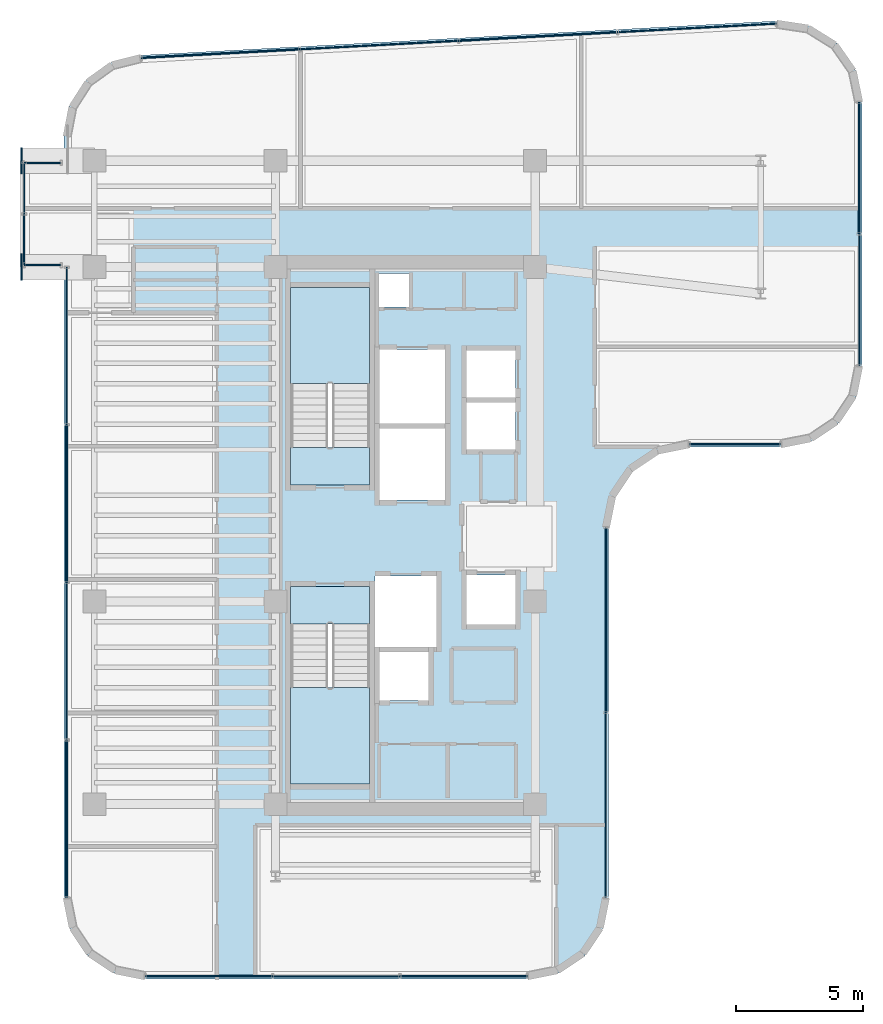
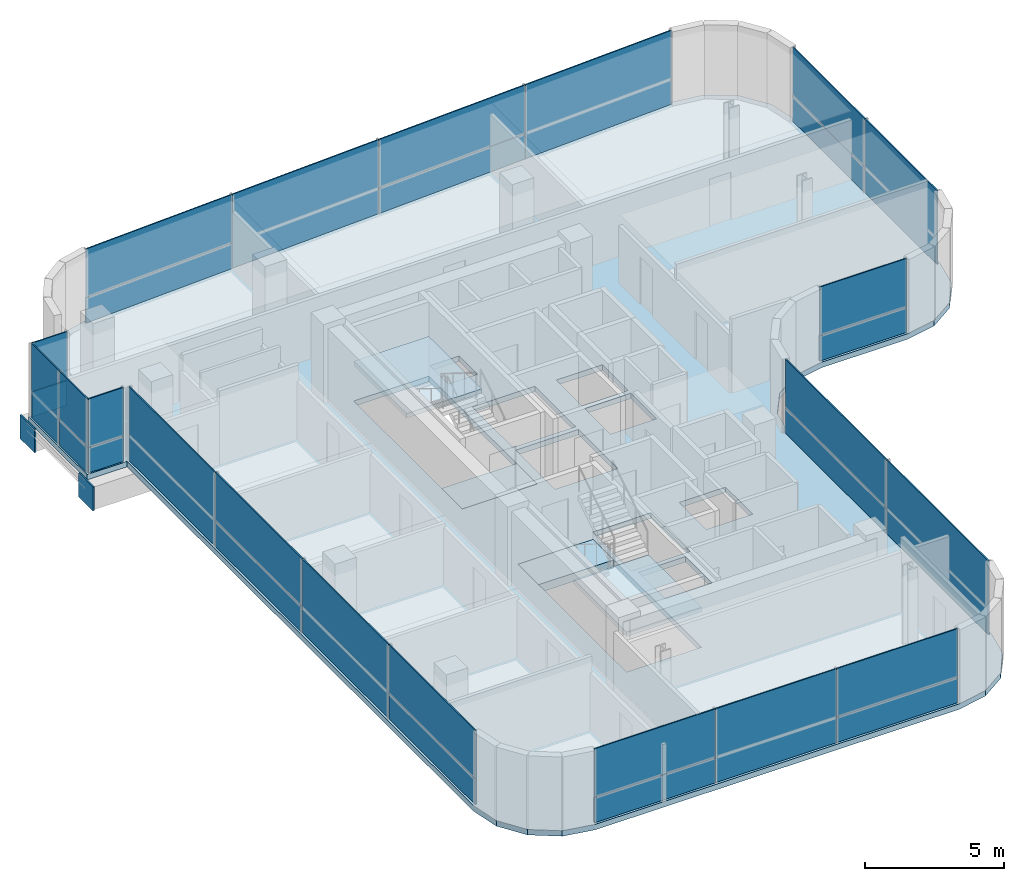
# One storey, part 16 of 21: 34 plates, 5 slabs, 11 elements without a shape of their own.
"""IFC4 building model written with IfcOpenShell, lengths in metres."""

from ifc_helpers import new_model, si_unit, direction, frame, origin, origin_2d, place, context, subcontext, project, spatial, polyline, rectangle, outline, extrude, source, transform, mapped, material, layer, layer_set, type_object, element, aggregate, save


model = new_model("IFC4")

# Units and contexts
model_context = context("Model", 3, precision=1e-05, world=origin(), true_north=direction((0.0, 1.0)))
body_context = subcontext(model_context, "Body", "Model", "MODEL_VIEW")
ifc_project = project(units=[si_unit("LENGTHUNIT", "METRE"), si_unit("AREAUNIT", "SQUARE_METRE"), si_unit("VOLUMEUNIT", "CUBIC_METRE"), si_unit("PLANEANGLEUNIT", "RADIAN"), si_unit("MASSUNIT", "GRAM", prefix="KILO")], contexts=[model_context])

# Site, building, storey
site_placement = place(None, origin())
site = spatial("IfcSite", under=ifc_project, at=site_placement, CompositionType="ELEMENT")
building_placement = place(site_placement, origin())
building = spatial("IfcBuilding", under=site, at=building_placement, Name="Valdorenza Pilgrim Sanctuary Tower", CompositionType="ELEMENT")
storey_placement = place(building_placement, frame((0.0, 0.0, 223.0)))
storey = spatial("IfcBuildingStorey", under=building, at=storey_placement, Name="L57", CompositionType="ELEMENT", Elevation=223.0)

# Slab
ifc_material_1 = material(Name="Concrete C40/50", Category="concrete")
ifc_layer_1 = layer(ifc_material_1, 0.239990234375, Name="Concrete C40/50")
ifc_layer_set_1 = layer_set([ifc_layer_1], Name="Concrete C40/50")
slab_type_1 = type_object("IfcSlabType", Name="SLAB-FLR-220", PredefinedType="FLOOR", material=ifc_layer_set_1)
slab_1_placement = place(storey_placement, frame((0.0, 0.0, -0.239990234375)))
element("IfcSlab", 1, at=slab_1_placement, inside=storey, type_object=slab_type_1, Name="L57 Structural Floor Slab 1", PredefinedType="FLOOR", context=body_context, shape_type="SweptSolid", body=[
    extrude(outline(polyline([(-30.772705078125, 16.95263671875), (-30.122802734375, 17.968994140625), (-29.14306640625, 18.672607421875), (-27.972412109375, 18.96337890625), (-2.872314453125, 20.318115234375), (-1.595947265625, 20.126220703125), (-0.4990234375, 19.445556640625), (0.239501953125, 18.386962890625), (0.5, 17.12255859375), (0.5, 6.699951171875), (0.25634765625, 5.475341796875), (-0.437255859375, 4.437255859375), (-1.475341796875, 3.74365234375), (-2.699951171875, 3.5), (-6.300048828125, 3.5), (-7.524658203125, 3.25634765625), (-8.562744140625, 2.562744140625), (-9.25634765625, 1.524658203125), (-9.5, 0.300048828125), (-9.5, -14.300048828125), (-9.74365234375, -15.524658203125), (-10.437255859375, -16.562744140625), (-11.475341796875, -17.25634765625), (-12.699951171875, -17.5), (-27.800048828125, -17.5), (-29.024658203125, -17.25634765625), (-30.062744140625, -16.562744140625), (-30.75634765625, -15.524658203125), (-31.0, -14.300048828125), (-31.0, 10.60009765625), (-32.64990234375, 10.60009765625), (-32.64990234375, 14.800048828125), (-31.0, 14.800048828125), (-31.0, 15.76806640625), (-30.772705078125, 16.95263671875)]), holes=[polyline([(-22.050048828125, -9.800048828125), (-18.93994140625, -9.800048828125), (-18.93994140625, -3.485107421875), (-18.93994140625, -2.0), (-22.050048828125, -2.0), (-22.050048828125, -3.485107421875), (-22.050048828125, -9.800048828125)]), polyline([(-16.60009765625, -6.5), (-16.60009765625, -4.60009765625), (-18.550048828125, -4.60009765625), (-18.550048828125, -6.5), (-16.60009765625, -6.5)]), polyline([(-22.050048828125, 2.0), (-18.93994140625, 2.0), (-18.93994140625, 3.485107421875), (-18.93994140625, 9.800048828125), (-22.050048828125, 9.800048828125), (-22.050048828125, 3.485107421875), (-22.050048828125, 2.0)]), polyline([(-17.360107421875, 9.030029296875), (-17.360107421875, 10.35009765625), (-18.570068359375, 10.35009765625), (-18.570068359375, 9.030029296875), (-17.360107421875, 9.030029296875)]), polyline([(-16.300048828125, -1.60009765625), (-18.719970703125, -1.60009765625), (-18.719970703125, -4.39990234375), (-16.300048828125, -4.39990234375), (-16.300048828125, -1.60009765625)]), polyline([(-13.179931640625, -3.5), (-13.179931640625, -1.550048828125), (-15.10009765625, -1.550048828125), (-15.10009765625, -3.5), (-13.179931640625, -3.5)]), polyline([(-15.949951171875, 1.39990234375), (-15.949951171875, 4.22509765625), (-18.550048828125, 4.22509765625), (-18.550048828125, 1.39990234375), (-15.949951171875, 1.39990234375)]), polyline([(-13.179931640625, 5.25), (-15.10009765625, 5.25), (-15.10009765625, 3.39990234375), (-13.179931640625, 3.39990234375), (-13.179931640625, 5.25)]), polyline([(-15.949951171875, 4.425048828125), (-15.949951171875, 7.35009765625), (-18.550048828125, 7.35009765625), (-18.550048828125, 4.425048828125), (-15.949951171875, 4.425048828125)]), polyline([(-13.179931640625, 5.449951171875), (-13.179931640625, 7.300048828125), (-15.10009765625, 7.300048828125), (-15.10009765625, 5.449951171875), (-13.179931640625, 5.449951171875)])]), origin(), (0.0, 0.0, 1.0), 0.239990234375),
])

# Stair, slab
stair_type = type_object("IfcStairType", Name="STR-DOG-CORE", PredefinedType="HALF_TURN_STAIR", material=ifc_material_1)
stair_1_placement = place(storey_placement, origin())
stair_1 = element("IfcStair", 2, at=stair_1_placement, inside=storey, type_object=stair_type, Name="L57 ST-A1", PredefinedType="HALF_TURN_STAIR")
ifc_layer_2 = layer(ifc_material_1, 0.199951171875, Name="Concrete C40/50")
ifc_layer_set_2 = layer_set([ifc_layer_2], Name="Concrete C40/50")
slab_type_2 = type_object("IfcSlabType", Name="SLAB-STL-200", PredefinedType="LANDING", material=ifc_layer_set_2)
slab_2_placement = place(storey_placement, frame((0.0, 0.0, 1.550048828125)))
slab_2 = element("IfcSlab", 3, at=slab_2_placement, type_object=slab_type_2, Name="ST-A1 landing 1", PredefinedType="LANDING", context=body_context, shape_type="SweptSolid", body=[
    extrude(outline(polyline([(-18.93994140625, 6.0), (-18.93994140625, 9.800048828125), (-22.050048828125, 9.800048828125), (-22.050048828125, 6.0), (-18.93994140625, 6.0)])), origin(), (0.0, 0.0, 1.0), 0.199951171875),
])
aggregate(stair_1, [slab_2])

stair_2_placement = place(storey_placement, origin())
stair_2 = element("IfcStair", 4, at=stair_2_placement, inside=storey, type_object=stair_type, Name="L57 ST-A2", PredefinedType="HALF_TURN_STAIR")
slab_3_placement = place(storey_placement, frame((0.0, 0.0, 1.550048828125)))
slab_3 = element("IfcSlab", 5, at=slab_3_placement, type_object=slab_type_2, Name="ST-A2 landing 1", PredefinedType="LANDING", context=body_context, shape_type="SweptSolid", body=[
    extrude(outline(polyline([(-22.050048828125, -6.0), (-22.050048828125, -9.800048828125), (-18.93994140625, -9.800048828125), (-18.93994140625, -6.0), (-22.050048828125, -6.0)])), origin(), (0.0, 0.0, 1.0), 0.199951171875),
])
aggregate(stair_2, [slab_3])

# Slabs
ifc_material_2 = material(Name="Concrete C50/60", Category="concrete")
ifc_layer_3 = layer(ifc_material_2, 0.39990234375, Name="Concrete C50/60")
ifc_layer_set_3 = layer_set([ifc_layer_3], Name="Concrete C50/60")
slab_type_3 = type_object("IfcSlabType", Name="SLAB-TRF-400", PredefinedType="FLOOR", material=ifc_layer_set_3)
slab_4_placement = place(storey_placement, frame((0.0, 0.0, -0.360107421875)))
element("IfcSlab", 6, at=slab_4_placement, inside=storey, type_object=slab_type_3, Name="L57 ST-A1 Structural Stair Landing Bearing Slab", PredefinedType="FLOOR", context=body_context, shape_type="SweptSolid", body=[
    extrude(outline(polyline([(-22.050048828125, 2.0), (-18.93994140625, 2.0), (-18.93994140625, 3.485107421875), (-22.050048828125, 3.485107421875), (-22.050048828125, 2.0)])), origin(), (0.0, 0.0, 1.0), 0.360107421875),
])
slab_5_placement = place(storey_placement, frame((0.0, 0.0, -0.360107421875)))
element("IfcSlab", 7, at=slab_5_placement, inside=storey, type_object=slab_type_3, Name="L57 ST-A2 Structural Stair Landing Bearing Slab", PredefinedType="FLOOR", context=body_context, shape_type="SweptSolid", body=[
    extrude(outline(polyline([(-22.050048828125, -3.485107421875), (-18.93994140625, -3.485107421875), (-18.93994140625, -2.0), (-22.050048828125, -2.0), (-22.050048828125, -3.485107421875)])), origin(), (0.0, 0.0, 1.0), 0.360107421875),
])

# Plates
ifc_material_3 = material(Name="Steel ASTM A572 Grade 42", Category="steel")
ifc_layer_4 = layer(ifc_material_3, 0.06005859375, Name="Steel ASTM A572 Grade 42")
ifc_layer_set_4 = layer_set([ifc_layer_4], Name="Steel ASTM A572 Grade 42")
plate_type_1 = type_object("IfcPlateType", Name="PLT-CAP-60", PredefinedType="SHEET", material=ifc_layer_set_4)
shared_shape_1 = source(origin(), body_context, "Body", "SweptSolid", [
    extrude(rectangle(XDim=0.06005859375, YDim=1.0400390625, at=origin_2d()), origin(), (0.0, 0.0, 1.0), 1.0400390625),
])
for number, where, z_axis, x_axis, name in (
    (8, (-32.679931640625, 14.800048828125, -1.260009765625), (0.0, 0.0, 1.0), (1.0, 0.0, 0.0), "L57 BOX-WA-L57 Cantilever Tip End Cap N"),
    (9, (-32.679931640625, 10.60009765625, -1.260009765625), (0.0, 0.0, 1.0), (1.0, 0.0, 0.0), "L57 BOX-WA-L57 Cantilever Tip End Cap S"),
):
    element("IfcPlate", number, at=place(storey_placement, frame(where, z_axis=z_axis, x_axis=x_axis)), inside=storey, type_object=plate_type_1, Name=name, PredefinedType="SHEET", context=body_context, shape_type="MappedRepresentation", body=[
        mapped(shared_shape_1, transform((0.0, 0.0, 0.0), x_axis=(1.0, 0.0, 0.0), y_axis=(0.0, 1.0, 0.0), z_axis=(0.0, 0.0, 1.0), scale=1.0)),
    ])

# Curtain wall, plate
ifc_material_4 = material(Name="Curtain-wall IGU glazing", Category="glass")
curtain_wall_type = type_object("IfcCurtainWallType", Name="CW-SYS-02", PredefinedType="NOTDEFINED", material=ifc_material_4)
curtain_wall_1_placement = place(storey_placement, origin())
curtain_wall_1 = element("IfcCurtainWall", 10, at=curtain_wall_1_placement, inside=storey, type_object=curtain_wall_type, Name="L57 Curtain Wall CW-L57-BOX-WA-L57-S", PredefinedType="NOTDEFINED")
ifc_material_5 = material(Name="Honed travertine limestone", Category="masonry")
ifc_layer_5 = layer(ifc_material_5, 0.050048828125, Name="Honed travertine limestone")
ifc_layer_set_5 = layer_set([ifc_layer_5], Name="Honed travertine limestone")
plate_type_2 = type_object("IfcPlateType", Name="CW-SPN-TRV", PredefinedType="USERDEFINED", material=ifc_layer_set_5)
shared_shape_2 = source(origin(), body_context, "Body", "SweptSolid", [
    extrude(rectangle(XDim=1.43994140625, YDim=0.06005859375, at=origin_2d()), origin(), (0.0, 0.0, 1.0), 1.10009765625),
])
plate_1_placement = place(storey_placement, frame((-31.840087890625, 10.679931640625, 0.010009765625), z_axis=(0.0, 0.0, 1.0), x_axis=(-1.0, 0.0, 0.0)))
plate_1 = element("IfcPlate", 11, at=plate_1_placement, type_object=plate_type_2, Name="CW-L57-BOX-WA-L57-S Travertine Spandrel 1", ObjectType="SPANDREL", PredefinedType="USERDEFINED", context=body_context, shape_type="MappedRepresentation", body=[
    mapped(shared_shape_2, transform((0.0, 0.0, 0.0), x_axis=(1.0, 0.0, 0.0), y_axis=(0.0, 1.0, 0.0), z_axis=(0.0, 0.0, 1.0), scale=1.0)),
])

curtain_wall_2_placement = place(storey_placement, origin())
curtain_wall_2 = element("IfcCurtainWall", 12, at=curtain_wall_2_placement, inside=storey, type_object=curtain_wall_type, Name="L57 Curtain Wall CW-L57-BOX-WA-L57-N", PredefinedType="NOTDEFINED")
plate_2_placement = place(storey_placement, frame((-31.840087890625, 14.719970703125, 0.010009765625), z_axis=(0.0, 0.0, 1.0), x_axis=(1.0, 0.0, 0.0)))
plate_2 = element("IfcPlate", 13, at=plate_2_placement, type_object=plate_type_2, Name="CW-L57-BOX-WA-L57-N Travertine Spandrel 1", ObjectType="SPANDREL", PredefinedType="USERDEFINED", context=body_context, shape_type="MappedRepresentation", body=[
    mapped(shared_shape_2, transform((0.0, 0.0, 0.0), x_axis=(1.0, 0.0, 0.0), y_axis=(0.0, 1.0, 0.0), z_axis=(0.0, 0.0, 1.0), scale=1.0)),
])

curtain_wall_3_placement = place(storey_placement, origin())
curtain_wall_3 = element("IfcCurtainWall", 14, at=curtain_wall_3_placement, inside=storey, type_object=curtain_wall_type, Name="L57 Curtain Wall CW-L57-BOX-WA-L57-F", PredefinedType="NOTDEFINED")
shared_shape_3 = source(origin(), body_context, "Body", "SweptSolid", [
    extrude(rectangle(XDim=2.0, YDim=0.06005859375, at=origin_2d()), origin(), (0.0, 0.0, 1.0), 1.10009765625),
])
plate_3_placement = place(storey_placement, frame((-32.570068359375, 11.68994140625, 0.010009765625), z_axis=(0.0, 0.0, 1.0), x_axis=(0.0, 1.0, 0.0)))
plate_3 = element("IfcPlate", 15, at=plate_3_placement, type_object=plate_type_2, Name="CW-L57-BOX-WA-L57-F Travertine Spandrel 1", ObjectType="SPANDREL", PredefinedType="USERDEFINED", context=body_context, shape_type="MappedRepresentation", body=[
    mapped(shared_shape_3, transform((0.0, 0.0, 0.0), x_axis=(1.0, 0.0, 0.0), y_axis=(0.0, 1.0, 0.0), z_axis=(0.0, 0.0, 1.0), scale=1.0)),
])

# Curtain wall, plates
curtain_wall_4_placement = place(storey_placement, origin())
curtain_wall_4 = element("IfcCurtainWall", 16, at=curtain_wall_4_placement, inside=storey, type_object=curtain_wall_type, Name="L57 Curtain Wall CW-L57-1-26", PredefinedType="NOTDEFINED")
shared_shape_4 = source(origin(), body_context, "Body", "SweptSolid", [
    extrude(rectangle(XDim=5.006103515625, YDim=0.06005859375, at=origin_2d()), origin(), (0.0, 0.0, 1.0), 1.10009765625),
])
plate_4_placement = place(storey_placement, frame((-15.223876953125, -17.389892578125, 0.010009765625), z_axis=(0.0, 0.0, 1.0), x_axis=(-1.0, 0.0, 0.0)))
plate_4 = element("IfcPlate", 17, at=plate_4_placement, type_object=plate_type_2, Name="CW-L57-1-26 Travertine Spandrel 1", ObjectType="SPANDREL", PredefinedType="USERDEFINED", context=body_context, shape_type="MappedRepresentation", body=[
    mapped(shared_shape_4, transform((0.0, 0.0, 0.0), x_axis=(1.0, 0.0, 0.0), y_axis=(0.0, 1.0, 0.0), z_axis=(0.0, 0.0, 1.0), scale=1.0)),
])
plate_5_placement = place(storey_placement, frame((-25.276123046875, -17.389892578125, 0.010009765625), z_axis=(0.0, 0.0, 1.0), x_axis=(-1.0, 0.0, 0.0)))
plate_5 = element("IfcPlate", 18, at=plate_5_placement, type_object=plate_type_2, Name="CW-L57-1-26 Travertine Spandrel 3", ObjectType="SPANDREL", PredefinedType="USERDEFINED", context=body_context, shape_type="MappedRepresentation", body=[
    mapped(shared_shape_4, transform((0.0, 0.0, 0.0), x_axis=(1.0, 0.0, 0.0), y_axis=(0.0, 1.0, 0.0), z_axis=(0.0, 0.0, 1.0), scale=1.0)),
])

curtain_wall_5_placement = place(storey_placement, origin())
curtain_wall_5 = element("IfcCurtainWall", 19, at=curtain_wall_5_placement, inside=storey, type_object=curtain_wall_type, Name="L57 Curtain Wall CW-L57-1-1S1", PredefinedType="NOTDEFINED")
shared_shape_5 = source(origin(), body_context, "Body", "SweptSolid", [
    extrude(rectangle(XDim=6.202392578125, YDim=0.06005859375, at=origin_2d()), origin(), (0.0, 0.0, 1.0), 1.10009765625),
])
plate_6_placement = place(storey_placement, frame((-30.889892578125, -11.177978515625, 0.010009765625), z_axis=(0.0, 0.0, 1.0), x_axis=(0.0, 1.0, 0.0)))
plate_6 = element("IfcPlate", 20, at=plate_6_placement, type_object=plate_type_2, Name="CW-L57-1-1S1 Travertine Spandrel 1", ObjectType="SPANDREL", PredefinedType="USERDEFINED", context=body_context, shape_type="MappedRepresentation", body=[
    mapped(shared_shape_5, transform((0.0, 0.0, 0.0), x_axis=(1.0, 0.0, 0.0), y_axis=(0.0, 1.0, 0.0), z_axis=(0.0, 0.0, 1.0), scale=1.0)),
])
plate_7_placement = place(storey_placement, frame((-30.889892578125, 1.2666015625, 0.010009765625), z_axis=(0.0, 0.0, 1.0), x_axis=(0.0, 1.0, 0.0)))
plate_7 = element("IfcPlate", 21, at=plate_7_placement, type_object=plate_type_2, Name="CW-L57-1-1S1 Travertine Spandrel 3", ObjectType="SPANDREL", PredefinedType="USERDEFINED", context=body_context, shape_type="MappedRepresentation", body=[
    mapped(shared_shape_5, transform((0.0, 0.0, 0.0), x_axis=(1.0, 0.0, 0.0), y_axis=(0.0, 1.0, 0.0), z_axis=(0.0, 0.0, 1.0), scale=1.0)),
])

curtain_wall_6_placement = place(storey_placement, origin())
curtain_wall_6 = element("IfcCurtainWall", 22, at=curtain_wall_6_placement, inside=storey, type_object=curtain_wall_type, Name="L57 Curtain Wall CW-L57-1-6", PredefinedType="NOTDEFINED")
shared_shape_6 = source(origin(), body_context, "Body", "SweptSolid", [
    extrude(rectangle(XDim=6.2587890625, YDim=0.06005859375, at=origin_2d()), origin(), (0.0, 0.0, 1.0), 1.10009765625),
])
plate_8_placement = place(storey_placement, frame((-24.8212890625, 19.023193359375, 0.010009765625), z_axis=(0.0, 0.0, 1.0), x_axis=(0.998547034311, 0.053887106711, 0.0)))
plate_8 = element("IfcPlate", 23, at=plate_8_placement, type_object=plate_type_2, Name="CW-L57-1-6 Travertine Spandrel 1", ObjectType="SPANDREL", PredefinedType="USERDEFINED", context=body_context, shape_type="MappedRepresentation", body=[
    mapped(shared_shape_6, transform((0.0, 0.0, 0.0), x_axis=(1.0, 0.0, 0.0), y_axis=(0.0, 1.0, 0.0), z_axis=(0.0, 0.0, 1.0), scale=1.0)),
])
plate_9_placement = place(storey_placement, frame((-12.281982421875, 19.699951171875, 0.010009765625), z_axis=(0.0, 0.0, 1.0), x_axis=(0.998547034311, 0.053887106711, 0.0)))
plate_9 = element("IfcPlate", 24, at=plate_9_placement, type_object=plate_type_2, Name="CW-L57-1-6 Travertine Spandrel 3", ObjectType="SPANDREL", PredefinedType="USERDEFINED", context=body_context, shape_type="MappedRepresentation", body=[
    mapped(shared_shape_6, transform((0.0, 0.0, 0.0), x_axis=(1.0, 0.0, 0.0), y_axis=(0.0, 1.0, 0.0), z_axis=(0.0, 0.0, 1.0), scale=1.0)),
])

# Curtain wall, plate
curtain_wall_7_placement = place(storey_placement, origin())
curtain_wall_7 = element("IfcCurtainWall", 25, at=curtain_wall_7_placement, inside=storey, type_object=curtain_wall_type, Name="L57 Curtain Wall CW-L57-1-16", PredefinedType="NOTDEFINED")
shared_shape_7 = source(origin(), body_context, "Body", "SweptSolid", [
    extrude(rectangle(XDim=3.580078125, YDim=0.06005859375, at=origin_2d()), origin(), (0.0, 0.0, 1.0), 1.10009765625),
])
plate_10_placement = place(storey_placement, frame((-4.5107421875, 3.610107421875, 0.010009765625), z_axis=(0.0, 0.0, 1.0), x_axis=(-1.0, 0.0, 0.0)))
plate_10 = element("IfcPlate", 26, at=plate_10_placement, type_object=plate_type_2, Name="CW-L57-1-16 Travertine Spandrel 1", ObjectType="SPANDREL", PredefinedType="USERDEFINED", context=body_context, shape_type="MappedRepresentation", body=[
    mapped(shared_shape_7, transform((0.0, 0.0, 0.0), x_axis=(1.0, 0.0, 0.0), y_axis=(0.0, 1.0, 0.0), z_axis=(0.0, 0.0, 1.0), scale=1.0)),
])

curtain_wall_8_placement = place(storey_placement, origin())
curtain_wall_8 = element("IfcCurtainWall", 27, at=curtain_wall_8_placement, inside=storey, type_object=curtain_wall_type, Name="L57 Curtain Wall CW-L57-1-21", PredefinedType="NOTDEFINED")
shared_shape_8 = source(origin(), body_context, "Body", "SweptSolid", [
    extrude(rectangle(XDim=7.280029296875, YDim=0.06005859375, at=origin_2d()), origin(), (0.0, 0.0, 1.0), 1.10009765625),
])
plate_11_placement = place(storey_placement, frame((-9.610107421875, -3.339111328125, 0.010009765625), z_axis=(0.0, 0.0, 1.0), x_axis=(0.0, -1.0, 0.0)))
plate_11 = element("IfcPlate", 28, at=plate_11_placement, type_object=plate_type_2, Name="CW-L57-1-21 Travertine Spandrel 1", ObjectType="SPANDREL", PredefinedType="USERDEFINED", context=body_context, shape_type="MappedRepresentation", body=[
    mapped(shared_shape_8, transform((0.0, 0.0, 0.0), x_axis=(1.0, 0.0, 0.0), y_axis=(0.0, 1.0, 0.0), z_axis=(0.0, 0.0, 1.0), scale=1.0)),
])

curtain_wall_9_placement = place(storey_placement, origin())
curtain_wall_9 = element("IfcCurtainWall", 29, at=curtain_wall_9_placement, inside=storey, type_object=curtain_wall_type, Name="L57 Curtain Wall CW-L57-1-11", PredefinedType="NOTDEFINED")
shared_shape_9 = source(origin(), body_context, "Body", "SweptSolid", [
    extrude(rectangle(XDim=5.180419921875, YDim=0.06005859375, at=origin_2d()), origin(), (0.0, 0.0, 1.0), 1.10009765625),
])
plate_12_placement = place(storey_placement, frame((0.389892578125, 14.51123046875, 0.010009765625), z_axis=(0.0, 0.0, 1.0), x_axis=(0.0, -1.0, 0.0)))
plate_12 = element("IfcPlate", 30, at=plate_12_placement, type_object=plate_type_2, Name="CW-L57-1-11 Travertine Spandrel 1", ObjectType="SPANDREL", PredefinedType="USERDEFINED", context=body_context, shape_type="MappedRepresentation", body=[
    mapped(shared_shape_9, transform((0.0, 0.0, 0.0), x_axis=(1.0, 0.0, 0.0), y_axis=(0.0, 1.0, 0.0), z_axis=(0.0, 0.0, 1.0), scale=1.0)),
])

# Plate
ifc_material_6 = material(Name="Ceramic-fritted low-E IGU glazing", Category="glass")
ifc_layer_6 = layer(ifc_material_6, 0.035888671875, Name="Ceramic-fritted low-E IGU glazing")
ifc_layer_set_6 = layer_set([ifc_layer_6], Name="Ceramic-fritted low-E IGU glazing")
plate_type_3 = type_object("IfcPlateType", Name="CW-GLZ-IGU", PredefinedType="USERDEFINED", material=ifc_layer_set_6)
shared_shape_10 = source(origin(), body_context, "Body", "SweptSolid", [
    extrude(rectangle(XDim=6.2587890625, YDim=0.050048828125, at=origin_2d()), origin(), (0.0, 0.0, 1.0), 2.1201171875),
])
plate_13_placement = place(storey_placement, frame((-24.8212890625, 19.023193359375, 1.1298828125), z_axis=(0.0, 0.0, 1.0), x_axis=(0.998547034311, 0.053887106711, 0.0)))
plate_13 = element("IfcPlate", 31, at=plate_13_placement, type_object=plate_type_3, Name="CW-L57-1-6 Facade Panel 1", ObjectType="GLAZING", PredefinedType="USERDEFINED", context=body_context, shape_type="MappedRepresentation", body=[
    mapped(shared_shape_10, transform((0.0, 0.0, 0.0), x_axis=(1.0, 0.0, 0.0), y_axis=(0.0, 1.0, 0.0), z_axis=(0.0, 0.0, 1.0), scale=1.0)),
])

plate_14_placement = place(storey_placement, frame((-12.281982421875, 19.699951171875, 1.1298828125), z_axis=(0.0, 0.0, 1.0), x_axis=(0.998547034311, 0.053887106711, 0.0)))
plate_14 = element("IfcPlate", 32, at=plate_14_placement, type_object=plate_type_3, Name="CW-L57-1-6 Facade Panel 3", ObjectType="GLAZING", PredefinedType="USERDEFINED", context=body_context, shape_type="MappedRepresentation", body=[
    mapped(shared_shape_10, transform((0.0, 0.0, 0.0), x_axis=(1.0, 0.0, 0.0), y_axis=(0.0, 1.0, 0.0), z_axis=(0.0, 0.0, 1.0), scale=1.0)),
])

shared_shape_11 = source(origin(), body_context, "Body", "SweptSolid", [
    extrude(rectangle(XDim=6.2587890625, YDim=0.050048828125, at=origin_2d()), origin(), (0.0, 0.0, 1.0), 3.239990234375),
])
plate_15_placement = place(storey_placement, frame((-18.551513671875, 19.36181640625, 0.009765625), z_axis=(0.0, 0.0, 1.0), x_axis=(0.998547034311, 0.053887106711, 0.0)))
plate_15 = element("IfcPlate", 33, at=plate_15_placement, type_object=plate_type_3, Name="CW-L57-1-6 Full-Height Facade Panel 2", ObjectType="GLAZING", PredefinedType="USERDEFINED", context=body_context, shape_type="MappedRepresentation", body=[
    mapped(shared_shape_11, transform((0.0, 0.0, 0.0), x_axis=(1.0, 0.0, 0.0), y_axis=(0.0, 1.0, 0.0), z_axis=(0.0, 0.0, 1.0), scale=1.0)),
])

plate_16_placement = place(storey_placement, frame((-6.012451171875, 20.038330078125, 0.009765625), z_axis=(0.0, 0.0, 1.0), x_axis=(0.998547034311, 0.053887106711, 0.0)))
plate_16 = element("IfcPlate", 34, at=plate_16_placement, type_object=plate_type_3, Name="CW-L57-1-6 Full-Height Facade Panel 4", ObjectType="GLAZING", PredefinedType="USERDEFINED", context=body_context, shape_type="MappedRepresentation", body=[
    mapped(shared_shape_11, transform((0.0, 0.0, 0.0), x_axis=(1.0, 0.0, 0.0), y_axis=(0.0, 1.0, 0.0), z_axis=(0.0, 0.0, 1.0), scale=1.0)),
])

aggregate(curtain_wall_6, [plate_8, plate_13, plate_15, plate_9, plate_14, plate_16])

shared_shape_12 = source(origin(), body_context, "Body", "SweptSolid", [
    extrude(rectangle(XDim=5.180419921875, YDim=0.050048828125, at=origin_2d()), origin(), (0.0, 0.0, 1.0), 2.1201171875),
])
plate_17_placement = place(storey_placement, frame((0.389892578125, 14.51123046875, 1.1298828125), z_axis=(0.0, 0.0, 1.0), x_axis=(0.0, -1.0, 0.0)))
plate_17 = element("IfcPlate", 35, at=plate_17_placement, type_object=plate_type_3, Name="CW-L57-1-11 Facade Panel 1", ObjectType="GLAZING", PredefinedType="USERDEFINED", context=body_context, shape_type="MappedRepresentation", body=[
    mapped(shared_shape_12, transform((0.0, 0.0, 0.0), x_axis=(1.0, 0.0, 0.0), y_axis=(0.0, 1.0, 0.0), z_axis=(0.0, 0.0, 1.0), scale=1.0)),
])

shared_shape_13 = source(origin(), body_context, "Body", "SweptSolid", [
    extrude(rectangle(XDim=5.180419921875, YDim=0.050048828125, at=origin_2d()), origin(), (0.0, 0.0, 1.0), 3.239990234375),
])
plate_18_placement = place(storey_placement, frame((0.389892578125, 9.310791015625, 0.009765625), z_axis=(0.0, 0.0, 1.0), x_axis=(0.0, -1.0, 0.0)))
plate_18 = element("IfcPlate", 36, at=plate_18_placement, type_object=plate_type_3, Name="CW-L57-1-11 Full-Height Facade Panel 2", ObjectType="GLAZING", PredefinedType="USERDEFINED", context=body_context, shape_type="MappedRepresentation", body=[
    mapped(shared_shape_13, transform((0.0, 0.0, 0.0), x_axis=(1.0, 0.0, 0.0), y_axis=(0.0, 1.0, 0.0), z_axis=(0.0, 0.0, 1.0), scale=1.0)),
])

aggregate(curtain_wall_9, [plate_12, plate_17, plate_18])

shared_shape_14 = source(origin(), body_context, "Body", "SweptSolid", [
    extrude(rectangle(XDim=3.580078125, YDim=0.050048828125, at=origin_2d()), origin(), (0.0, 0.0, 1.0), 2.1201171875),
])
plate_19_placement = place(storey_placement, frame((-4.5107421875, 3.610107421875, 1.1298828125), z_axis=(0.0, 0.0, 1.0), x_axis=(-1.0, 0.0, 0.0)))
plate_19 = element("IfcPlate", 37, at=plate_19_placement, type_object=plate_type_3, Name="CW-L57-1-16 Facade Panel 1", ObjectType="GLAZING", PredefinedType="USERDEFINED", context=body_context, shape_type="MappedRepresentation", body=[
    mapped(shared_shape_14, transform((0.0, 0.0, 0.0), x_axis=(1.0, 0.0, 0.0), y_axis=(0.0, 1.0, 0.0), z_axis=(0.0, 0.0, 1.0), scale=1.0)),
])

aggregate(curtain_wall_7, [plate_10, plate_19])

shared_shape_15 = source(origin(), body_context, "Body", "SweptSolid", [
    extrude(rectangle(XDim=7.280029296875, YDim=0.050048828125, at=origin_2d()), origin(), (0.0, 0.0, 1.0), 2.1201171875),
])
plate_20_placement = place(storey_placement, frame((-9.610107421875, -3.339111328125, 1.1298828125), z_axis=(0.0, 0.0, 1.0), x_axis=(0.0, -1.0, 0.0)))
plate_20 = element("IfcPlate", 38, at=plate_20_placement, type_object=plate_type_3, Name="CW-L57-1-21 Facade Panel 1", ObjectType="GLAZING", PredefinedType="USERDEFINED", context=body_context, shape_type="MappedRepresentation", body=[
    mapped(shared_shape_15, transform((0.0, 0.0, 0.0), x_axis=(1.0, 0.0, 0.0), y_axis=(0.0, 1.0, 0.0), z_axis=(0.0, 0.0, 1.0), scale=1.0)),
])

shared_shape_16 = source(origin(), body_context, "Body", "SweptSolid", [
    extrude(rectangle(XDim=7.280029296875, YDim=0.050048828125, at=origin_2d()), origin(), (0.0, 0.0, 1.0), 3.239990234375),
])
plate_21_placement = place(storey_placement, frame((-9.610107421875, -10.63916015625, 0.009765625), z_axis=(0.0, 0.0, 1.0), x_axis=(0.0, -1.0, 0.0)))
plate_21 = element("IfcPlate", 39, at=plate_21_placement, type_object=plate_type_3, Name="CW-L57-1-21 Full-Height Facade Panel 2", ObjectType="GLAZING", PredefinedType="USERDEFINED", context=body_context, shape_type="MappedRepresentation", body=[
    mapped(shared_shape_16, transform((0.0, 0.0, 0.0), x_axis=(1.0, 0.0, 0.0), y_axis=(0.0, 1.0, 0.0), z_axis=(0.0, 0.0, 1.0), scale=1.0)),
])

aggregate(curtain_wall_8, [plate_11, plate_20, plate_21])

shared_shape_17 = source(origin(), body_context, "Body", "SweptSolid", [
    extrude(rectangle(XDim=5.006103515625, YDim=0.050048828125, at=origin_2d()), origin(), (0.0, 0.0, 1.0), 2.1201171875),
])
plate_22_placement = place(storey_placement, frame((-15.223876953125, -17.389892578125, 1.1298828125), z_axis=(0.0, 0.0, 1.0), x_axis=(-1.0, 0.0, 0.0)))
plate_22 = element("IfcPlate", 40, at=plate_22_placement, type_object=plate_type_3, Name="CW-L57-1-26 Facade Panel 1", ObjectType="GLAZING", PredefinedType="USERDEFINED", context=body_context, shape_type="MappedRepresentation", body=[
    mapped(shared_shape_17, transform((0.0, 0.0, 0.0), x_axis=(1.0, 0.0, 0.0), y_axis=(0.0, 1.0, 0.0), z_axis=(0.0, 0.0, 1.0), scale=1.0)),
])

plate_23_placement = place(storey_placement, frame((-25.276123046875, -17.389892578125, 1.1298828125), z_axis=(0.0, 0.0, 1.0), x_axis=(-1.0, 0.0, 0.0)))
plate_23 = element("IfcPlate", 41, at=plate_23_placement, type_object=plate_type_3, Name="CW-L57-1-26 Facade Panel 3", ObjectType="GLAZING", PredefinedType="USERDEFINED", context=body_context, shape_type="MappedRepresentation", body=[
    mapped(shared_shape_17, transform((0.0, 0.0, 0.0), x_axis=(1.0, 0.0, 0.0), y_axis=(0.0, 1.0, 0.0), z_axis=(0.0, 0.0, 1.0), scale=1.0)),
])

shared_shape_18 = source(origin(), body_context, "Body", "SweptSolid", [
    extrude(rectangle(XDim=5.006103515625, YDim=0.050048828125, at=origin_2d()), origin(), (0.0, 0.0, 1.0), 3.239990234375),
])
plate_24_placement = place(storey_placement, frame((-20.25, -17.389892578125, 0.009765625), z_axis=(0.0, 0.0, 1.0), x_axis=(-1.0, 0.0, 0.0)))
plate_24 = element("IfcPlate", 42, at=plate_24_placement, type_object=plate_type_3, Name="CW-L57-1-26 Full-Height Facade Panel 2", ObjectType="GLAZING", PredefinedType="USERDEFINED", context=body_context, shape_type="MappedRepresentation", body=[
    mapped(shared_shape_18, transform((0.0, 0.0, 0.0), x_axis=(1.0, 0.0, 0.0), y_axis=(0.0, 1.0, 0.0), z_axis=(0.0, 0.0, 1.0), scale=1.0)),
])

aggregate(curtain_wall_4, [plate_4, plate_22, plate_24, plate_5, plate_23])

shared_shape_19 = source(origin(), body_context, "Body", "SweptSolid", [
    extrude(rectangle(XDim=1.43994140625, YDim=0.050048828125, at=origin_2d()), origin(), (0.0, 0.0, 1.0), 2.1201171875),
])
plate_25_placement = place(storey_placement, frame((-31.840087890625, 10.679931640625, 1.1298828125), z_axis=(0.0, 0.0, 1.0), x_axis=(-1.0, 0.0, 0.0)))
plate_25 = element("IfcPlate", 43, at=plate_25_placement, type_object=plate_type_3, Name="CW-L57-BOX-WA-L57-S Facade Panel 1", ObjectType="GLAZING", PredefinedType="USERDEFINED", context=body_context, shape_type="MappedRepresentation", body=[
    mapped(shared_shape_19, transform((0.0, 0.0, 0.0), x_axis=(1.0, 0.0, 0.0), y_axis=(0.0, 1.0, 0.0), z_axis=(0.0, 0.0, 1.0), scale=1.0)),
])

aggregate(curtain_wall_1, [plate_1, plate_25])

plate_26_placement = place(storey_placement, frame((-31.840087890625, 14.719970703125, 1.1298828125), z_axis=(0.0, 0.0, 1.0), x_axis=(1.0, 0.0, 0.0)))
plate_26 = element("IfcPlate", 44, at=plate_26_placement, type_object=plate_type_3, Name="CW-L57-BOX-WA-L57-N Facade Panel 1", ObjectType="GLAZING", PredefinedType="USERDEFINED", context=body_context, shape_type="MappedRepresentation", body=[
    mapped(shared_shape_19, transform((0.0, 0.0, 0.0), x_axis=(1.0, 0.0, 0.0), y_axis=(0.0, 1.0, 0.0), z_axis=(0.0, 0.0, 1.0), scale=1.0)),
])

aggregate(curtain_wall_2, [plate_2, plate_26])

shared_shape_20 = source(origin(), body_context, "Body", "SweptSolid", [
    extrude(rectangle(XDim=6.202392578125, YDim=0.050048828125, at=origin_2d()), origin(), (0.0, 0.0, 1.0), 2.1201171875),
])
plate_27_placement = place(storey_placement, frame((-30.889892578125, -11.177978515625, 1.1298828125), z_axis=(0.0, 0.0, 1.0), x_axis=(0.0, 1.0, 0.0)))
plate_27 = element("IfcPlate", 45, at=plate_27_placement, type_object=plate_type_3, Name="CW-L57-1-1S1 Facade Panel 1", ObjectType="GLAZING", PredefinedType="USERDEFINED", context=body_context, shape_type="MappedRepresentation", body=[
    mapped(shared_shape_20, transform((0.0, 0.0, 0.0), x_axis=(1.0, 0.0, 0.0), y_axis=(0.0, 1.0, 0.0), z_axis=(0.0, 0.0, 1.0), scale=1.0)),
])

plate_28_placement = place(storey_placement, frame((-30.889892578125, 1.2666015625, 1.1298828125), z_axis=(0.0, 0.0, 1.0), x_axis=(0.0, 1.0, 0.0)))
plate_28 = element("IfcPlate", 46, at=plate_28_placement, type_object=plate_type_3, Name="CW-L57-1-1S1 Facade Panel 3", ObjectType="GLAZING", PredefinedType="USERDEFINED", context=body_context, shape_type="MappedRepresentation", body=[
    mapped(shared_shape_20, transform((0.0, 0.0, 0.0), x_axis=(1.0, 0.0, 0.0), y_axis=(0.0, 1.0, 0.0), z_axis=(0.0, 0.0, 1.0), scale=1.0)),
])

shared_shape_21 = source(origin(), body_context, "Body", "SweptSolid", [
    extrude(rectangle(XDim=6.202392578125, YDim=0.050048828125, at=origin_2d()), origin(), (0.0, 0.0, 1.0), 3.239990234375),
])
plate_29_placement = place(storey_placement, frame((-30.889892578125, -4.955810546875, 0.009765625), z_axis=(0.0, 0.0, 1.0), x_axis=(0.0, 1.0, 0.0)))
plate_29 = element("IfcPlate", 47, at=plate_29_placement, type_object=plate_type_3, Name="CW-L57-1-1S1 Full-Height Facade Panel 2", ObjectType="GLAZING", PredefinedType="USERDEFINED", context=body_context, shape_type="MappedRepresentation", body=[
    mapped(shared_shape_21, transform((0.0, 0.0, 0.0), x_axis=(1.0, 0.0, 0.0), y_axis=(0.0, 1.0, 0.0), z_axis=(0.0, 0.0, 1.0), scale=1.0)),
])

plate_30_placement = place(storey_placement, frame((-30.889892578125, 7.489013671875, 0.009765625), z_axis=(0.0, 0.0, 1.0), x_axis=(0.0, 1.0, 0.0)))
plate_30 = element("IfcPlate", 48, at=plate_30_placement, type_object=plate_type_3, Name="CW-L57-1-1S1 Full-Height Facade Panel 4", ObjectType="GLAZING", PredefinedType="USERDEFINED", context=body_context, shape_type="MappedRepresentation", body=[
    mapped(shared_shape_21, transform((0.0, 0.0, 0.0), x_axis=(1.0, 0.0, 0.0), y_axis=(0.0, 1.0, 0.0), z_axis=(0.0, 0.0, 1.0), scale=1.0)),
])

aggregate(curtain_wall_5, [plate_6, plate_27, plate_29, plate_7, plate_28, plate_30])

shared_shape_22 = source(origin(), body_context, "Body", "SweptSolid", [
    extrude(rectangle(XDim=2.0, YDim=0.050048828125, at=origin_2d()), origin(), (0.0, 0.0, 1.0), 2.1201171875),
])
plate_31_placement = place(storey_placement, frame((-32.570068359375, 11.68994140625, 1.1298828125), z_axis=(0.0, 0.0, 1.0), x_axis=(0.0, 1.0, 0.0)))
plate_31 = element("IfcPlate", 49, at=plate_31_placement, type_object=plate_type_3, Name="CW-L57-BOX-WA-L57-F Facade Panel 1", ObjectType="GLAZING", PredefinedType="USERDEFINED", context=body_context, shape_type="MappedRepresentation", body=[
    mapped(shared_shape_22, transform((0.0, 0.0, 0.0), x_axis=(1.0, 0.0, 0.0), y_axis=(0.0, 1.0, 0.0), z_axis=(0.0, 0.0, 1.0), scale=1.0)),
])

shared_shape_23 = source(origin(), body_context, "Body", "SweptSolid", [
    extrude(rectangle(XDim=2.0, YDim=0.050048828125, at=origin_2d()), origin(), (0.0, 0.0, 1.0), 3.239990234375),
])
plate_32_placement = place(storey_placement, frame((-32.570068359375, 13.7099609375, 0.009765625), z_axis=(0.0, 0.0, 1.0), x_axis=(0.0, 1.0, 0.0)))
plate_32 = element("IfcPlate", 50, at=plate_32_placement, type_object=plate_type_3, Name="CW-L57-BOX-WA-L57-F Full-Height Facade Panel 2", ObjectType="GLAZING", PredefinedType="USERDEFINED", context=body_context, shape_type="MappedRepresentation", body=[
    mapped(shared_shape_23, transform((0.0, 0.0, 0.0), x_axis=(1.0, 0.0, 0.0), y_axis=(0.0, 1.0, 0.0), z_axis=(0.0, 0.0, 1.0), scale=1.0)),
])

aggregate(curtain_wall_3, [plate_3, plate_31, plate_32])

save(model, "model.ifc")
